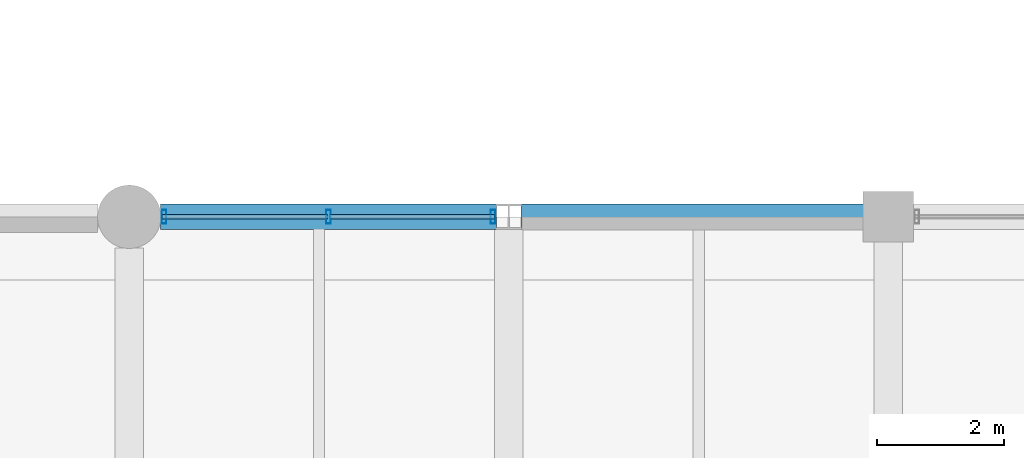
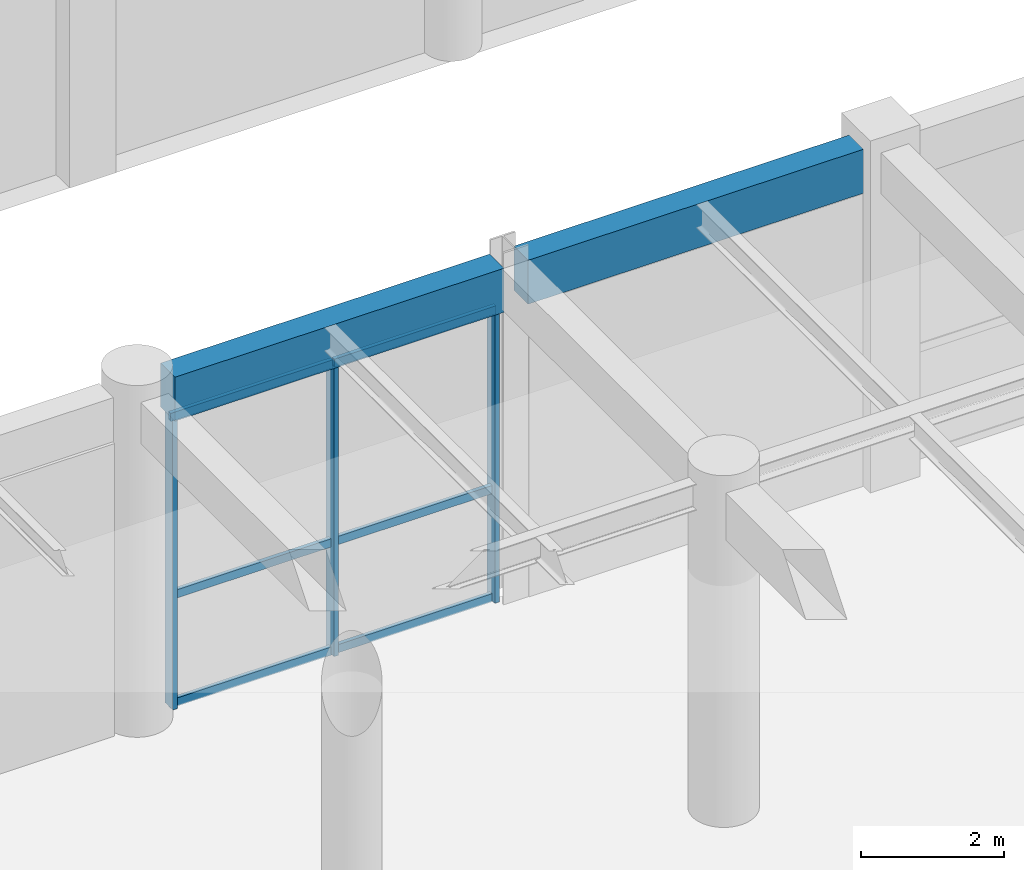
# One storey, part 45 of 106: 9 members, 2 beams, 1 element without a shape of its own.
"""IFC4 building model written with IfcOpenShell, lengths in metres."""

from ifc_helpers import new_model, si_unit, direction, frame, origin, origin_2d, place, context, subcontext, project, spatial, rectangle, hollow_rectangle, extrude, material, material_profile, profile_set, type_object, element, aggregate, save


model = new_model("IFC4")

# Units and contexts
model_context = context("Model", 3, precision=1e-05, world=origin(), true_north=direction((0.0, 1.0)))
body_context = subcontext(model_context, "Body", "Model", "MODEL_VIEW")
ifc_project = project(units=[si_unit("LENGTHUNIT", "METRE"), si_unit("AREAUNIT", "SQUARE_METRE"), si_unit("VOLUMEUNIT", "CUBIC_METRE"), si_unit("PLANEANGLEUNIT", "RADIAN"), si_unit("MASSUNIT", "GRAM", prefix="KILO"), si_unit("THERMODYNAMICTEMPERATUREUNIT", "KELVIN"), si_unit("POWERUNIT", "WATT")], contexts=[model_context])

# Site, building, storey
site_placement = place(None, origin())
site = spatial("IfcSite", under=ifc_project, at=site_placement, CompositionType="ELEMENT")
building_placement = place(site_placement, origin())
building = spatial("IfcBuilding", under=site, at=building_placement, Name="Phaisarnlok Congress Hotel", CompositionType="ELEMENT")
storey_placement = place(building_placement, origin())
storey = spatial("IfcBuildingStorey", under=building, at=storey_placement, Name="L00", CompositionType="ELEMENT", Elevation=0.0)

# Curtain wall, members
ifc_material_1 = material(Name="Thermally Broken Unitised Aluminium & Low-E Glazing", Category="aluminium")
curtain_wall_type = type_object("IfcCurtainWallType", Name="CW-UNIT-05", PredefinedType="NOTDEFINED", material=ifc_material_1)
curtain_wall_placement = place(storey_placement, origin())
curtain_wall = element("IfcCurtainWall", 1, at=curtain_wall_placement, inside=storey, type_object=curtain_wall_type, Name="Unitised curtain wall CW-05 (L00)", PredefinedType="NOTDEFINED")
ifc_material_2 = material(Name="Anodised Aluminium Alloy 6063-T6", Category="aluminium")
ifc_material_profile_1 = material_profile(ifc_material_2, hollow_rectangle(XDim=0.074951171875, YDim=0.219970703125, WallThickness=0.0048828125, at=origin_2d()), Name="ALU-M 75x220x5")
ifc_profile_set_1 = profile_set([ifc_material_profile_1], Name="Anodised Aluminium Alloy 6063-T6")
member_type_1 = type_object("IfcMemberType", Name="CWM-220", PredefinedType="MULLION", material=ifc_profile_set_1)
member_1_placement = place(storey_placement, frame((107.74951171875, 96.0, 0.0), z_axis=(0.0, 0.0, 1.0), x_axis=(-1.0, 0.0, 0.0)))
member_1 = element("IfcMember", 2, at=member_1_placement, type_object=member_type_1, Name="Curtain wall mullion CWM-02", PredefinedType="MULLION", context=body_context, shape_type="SweptSolid", body=[
    extrude(hollow_rectangle(XDim=0.074951171875, YDim=0.219970703125, WallThickness=0.0048828125, at=origin_2d()), origin(), (0.0, 0.0, 1.0), 4.989990234375),
])
member_2_placement = place(storey_placement, frame((105.149658203125, 96.0, 0.0), z_axis=(0.0, 0.0, 1.0), x_axis=(-1.0, 0.0, 0.0)))
member_2 = element("IfcMember", 3, at=member_2_placement, type_object=member_type_1, Name="Curtain wall mullion CWM-02", PredefinedType="MULLION", context=body_context, shape_type="SweptSolid", body=[
    extrude(hollow_rectangle(XDim=0.074951171875, YDim=0.219970703125, WallThickness=0.0048828125, at=origin_2d()), origin(), (0.0, 0.0, 1.0), 4.989990234375),
])
member_3_placement = place(storey_placement, frame((102.550048828125, 96.0, 0.0), z_axis=(0.0, 0.0, 1.0), x_axis=(-1.0, 0.0, 0.0)))
member_3 = element("IfcMember", 4, at=member_3_placement, type_object=member_type_1, Name="Curtain wall mullion CWM-02", PredefinedType="MULLION", context=body_context, shape_type="SweptSolid", body=[
    extrude(hollow_rectangle(XDim=0.074951171875, YDim=0.219970703125, WallThickness=0.0048828125, at=origin_2d()), origin(), (0.0, 0.0, 1.0), 4.989990234375),
])
ifc_material_profile_2 = material_profile(ifc_material_2, hollow_rectangle(XDim=0.06494140625, YDim=0.139892578125, WallThickness=0.00390625, at=origin_2d()), Name="ALU-T 65x140x4")
ifc_profile_set_2 = profile_set([ifc_material_profile_2], Name="Anodised Aluminium Alloy 6063-T6")
member_type_2 = type_object("IfcMemberType", Name="CWT-150", PredefinedType="USERDEFINED", material=ifc_profile_set_2)
member_4_placement = place(storey_placement, frame((107.7744140625, 96.0, 0.050048828125), z_axis=(-1.0, 0.0, 0.0), x_axis=(0.0, -1.0, 0.0)))
member_4 = element("IfcMember", 5, at=member_4_placement, type_object=member_type_2, Name="Curtain wall transom CWT-01", ObjectType="TRANSOM", PredefinedType="USERDEFINED", context=body_context, shape_type="SweptSolid", body=[
    extrude(hollow_rectangle(XDim=0.06494140625, YDim=0.139892578125, WallThickness=0.00390625, at=origin_2d()), origin(), (0.0, 0.0, 1.0), 2.609619140625),
])
member_5_placement = place(storey_placement, frame((107.7744140625, 96.0, 1.896240234375), z_axis=(-1.0, 0.0, 0.0), x_axis=(0.0, -1.0, 0.0)))
member_5 = element("IfcMember", 6, at=member_5_placement, type_object=member_type_2, Name="Curtain wall transom CWT-01", ObjectType="TRANSOM", PredefinedType="USERDEFINED", context=body_context, shape_type="SweptSolid", body=[
    extrude(hollow_rectangle(XDim=0.06494140625, YDim=0.139892578125, WallThickness=0.00390625, at=origin_2d()), origin(), (0.0, 0.0, 1.0), 2.609619140625),
])
member_6_placement = place(storey_placement, frame((107.7744140625, 96.0, 4.93994140625), z_axis=(-1.0, 0.0, 0.0), x_axis=(0.0, -1.0, 0.0)))
member_6 = element("IfcMember", 7, at=member_6_placement, type_object=member_type_2, Name="Curtain wall transom CWT-01", ObjectType="TRANSOM", PredefinedType="USERDEFINED", context=body_context, shape_type="SweptSolid", body=[
    extrude(hollow_rectangle(XDim=0.06494140625, YDim=0.139892578125, WallThickness=0.00390625, at=origin_2d()), origin(), (0.0, 0.0, 1.0), 2.609619140625),
])
member_7_placement = place(storey_placement, frame((105.134765625, 96.0, 0.050048828125), z_axis=(-1.0, 0.0, 0.0), x_axis=(0.0, -1.0, 0.0)))
member_7 = element("IfcMember", 8, at=member_7_placement, type_object=member_type_2, Name="Curtain wall transom CWT-01", ObjectType="TRANSOM", PredefinedType="USERDEFINED", context=body_context, shape_type="SweptSolid", body=[
    extrude(hollow_rectangle(XDim=0.06494140625, YDim=0.139892578125, WallThickness=0.00390625, at=origin_2d()), origin(), (0.0, 0.0, 1.0), 2.60986328125),
])
member_8_placement = place(storey_placement, frame((105.134765625, 96.0, 1.896240234375), z_axis=(-1.0, 0.0, 0.0), x_axis=(0.0, -1.0, 0.0)))
member_8 = element("IfcMember", 9, at=member_8_placement, type_object=member_type_2, Name="Curtain wall transom CWT-01", ObjectType="TRANSOM", PredefinedType="USERDEFINED", context=body_context, shape_type="SweptSolid", body=[
    extrude(hollow_rectangle(XDim=0.06494140625, YDim=0.139892578125, WallThickness=0.00390625, at=origin_2d()), origin(), (0.0, 0.0, 1.0), 2.60986328125),
])
member_9_placement = place(storey_placement, frame((105.134765625, 96.0, 4.93994140625), z_axis=(-1.0, 0.0, 0.0), x_axis=(0.0, -1.0, 0.0)))
member_9 = element("IfcMember", 10, at=member_9_placement, type_object=member_type_2, Name="Curtain wall transom CWT-01", ObjectType="TRANSOM", PredefinedType="USERDEFINED", context=body_context, shape_type="SweptSolid", body=[
    extrude(hollow_rectangle(XDim=0.06494140625, YDim=0.139892578125, WallThickness=0.00390625, at=origin_2d()), origin(), (0.0, 0.0, 1.0), 2.60986328125),
])
aggregate(curtain_wall, [member_1, member_2, member_3, member_4, member_5, member_6, member_7, member_8, member_9])

# Beams
ifc_material_3 = material(Name="Concrete C40/50", Category="concrete")
ifc_material_profile_3 = material_profile(ifc_material_3, rectangle(XDim=0.39990234375, YDim=0.75, at=origin_2d()), Name="RC 400x750")
ifc_profile_set_3 = profile_set([ifc_material_profile_3], Name="Concrete C40/50")
beam_type = type_object("IfcBeamType", Name="SP-RC-400x750", PredefinedType="SPANDREL", material=ifc_profile_set_3)
beam_1_placement = place(storey_placement, frame((102.4951171875, 96.0, 5.364990234375), z_axis=(1.0, 0.0, 0.0), x_axis=(0.0, 1.0, 0.0)))
element("IfcBeam", 11, at=beam_1_placement, inside=storey, type_object=beam_type, Name="Beam SP-02", PredefinedType="SPANDREL", context=body_context, shape_type="SweptSolid", body=[
    extrude(rectangle(XDim=0.39990234375, YDim=0.75, at=origin_2d()), origin(), (0.0, 0.0, 1.0), 5.309326171875),
])
beam_2_placement = place(storey_placement, frame((108.195556640625, 96.0, 5.364990234375), z_axis=(1.0, 0.0, 0.0), x_axis=(0.0, 1.0, 0.0)))
element("IfcBeam", 12, at=beam_2_placement, inside=storey, type_object=beam_type, Name="Beam SP-02", PredefinedType="SPANDREL", context=body_context, shape_type="SweptSolid", body=[
    extrude(rectangle(XDim=0.39990234375, YDim=0.75, at=origin_2d()), origin(), (0.0, 0.0, 1.0), 5.409423828125),
])

save(model, "model.ifc")
